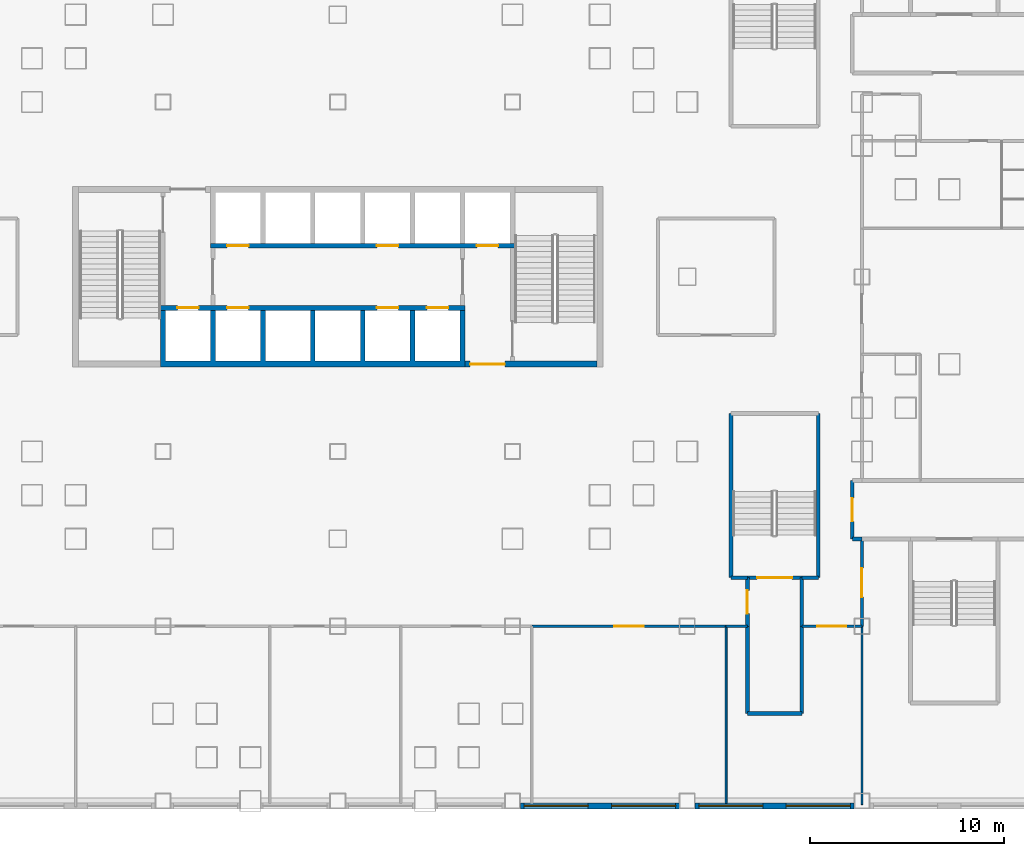
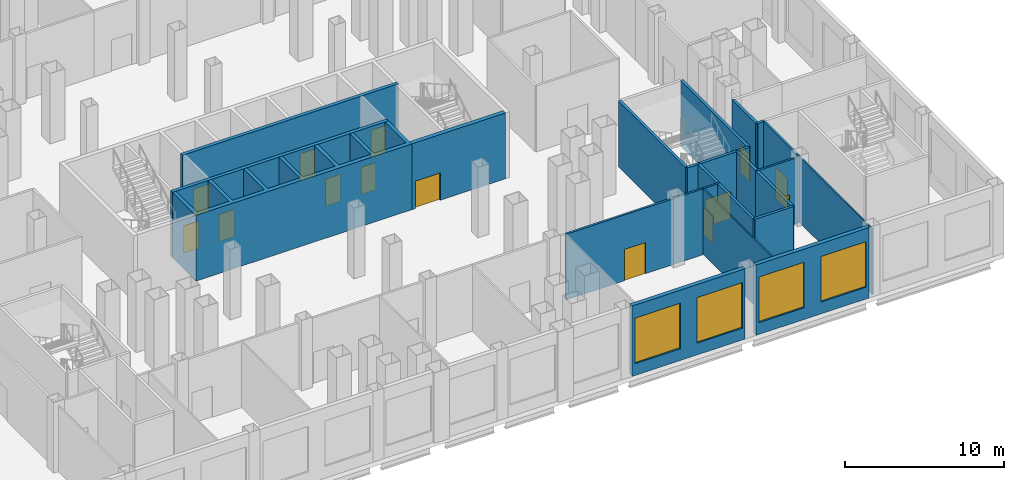
# One storey, part 4 of 27: 24 walls, 14 doors, 4 windows, 18 openings.
"""IFC4 building model written with IfcOpenShell, lengths in metres."""

from ifc_helpers import new_model, si_unit, direction, frame, frame_2d, origin, place, context, subcontext, project, spatial, polyline, rectangle, outline, extrude, material, layer, layer_set, type_object, element, fill, save


model = new_model("IFC4")

# Units and contexts
model_context = context("Model", 3, precision=1e-05, world=origin(), true_north=direction((0.0, 1.0)))
body_context = subcontext(model_context, "Body", "Model", "MODEL_VIEW")
ifc_project = project(units=[si_unit("LENGTHUNIT", "METRE"), si_unit("AREAUNIT", "SQUARE_METRE"), si_unit("VOLUMEUNIT", "CUBIC_METRE"), si_unit("PLANEANGLEUNIT", "RADIAN"), si_unit("MASSUNIT", "GRAM", prefix="KILO")], contexts=[model_context])

# Site, building, storey
site_placement = place(None, origin())
site = spatial("IfcSite", under=ifc_project, at=site_placement, CompositionType="ELEMENT")
building_placement = place(site_placement, origin())
building = spatial("IfcBuilding", under=site, at=building_placement, Name="Caravel Reach Hotel and Residences", CompositionType="ELEMENT")
storey_placement = place(building_placement, frame((0.0, 0.0, 6.60009765625)))
storey = spatial("IfcBuildingStorey", under=building, at=storey_placement, Name="L01", CompositionType="ELEMENT", Elevation=6.60009765625)

# Walls
ifc_material_1 = material(Name="Autoclaved aerated block wall")
ifc_layer_1 = layer(ifc_material_1, 0.199951171875)
ifc_layer_set_1 = layer_set([ifc_layer_1], Name="Compartment wall 200 mm EI 120")
wall_type_1 = type_object("IfcWallType", Name="Compartment wall 200 mm EI 120", PredefinedType="PARTITIONING", material=ifc_layer_set_1)
wall_1_placement = place(storey_placement, frame((58.0, 13.5, 0.0), z_axis=(0.0, 0.0, 1.0), x_axis=(1.0, 0.0, 0.0)))
element("IfcWall", 1, at=wall_1_placement, inside=storey, type_object=wall_type_1, Name="L01 wall w059", PredefinedType="PARTITIONING", context=body_context, shape_type="SweptSolid", body=[
    extrude(rectangle(XDim=0.5, YDim=0.199951171875, at=frame_2d((0.25, 0.0))), origin(), (0.0, 0.0, 1.0), 5.0498046875),
])
wall_2_placement = place(storey_placement, frame((52.60009765625, 4.5, 0.0), z_axis=(0.0, 0.0, 1.0), x_axis=(1.0, 0.0, 0.0)))
element("IfcWall", 2, at=wall_2_placement, inside=storey, type_object=wall_type_1, Name="L01 wall w068", PredefinedType="PARTITIONING", context=body_context, shape_type="SweptSolid", body=[
    extrude(rectangle(XDim=2.7998046875, YDim=0.199951171875, at=frame_2d((1.39990234375, 0.0))), origin(), (0.0, 0.0, 1.0), 5.0498046875),
])

# Wall, opening, door
wall_3_placement = place(storey_placement, frame((52.60009765625, 9.0, 0.0), z_axis=(0.0, 0.0, 1.0), x_axis=(0.0, 1.0, 0.0)))
wall_3 = element("IfcWall", 3, at=wall_3_placement, inside=storey, type_object=wall_type_1, Name="L01 wall w082", PredefinedType="PARTITIONING", context=body_context, shape_type="SweptSolid", body=[
    extrude(rectangle(XDim=2.5, YDim=0.199951171875, at=frame_2d((1.25, 0.0))), origin(), (0.0, 0.0, 1.0), 5.0498046875),
])
opening_1_placement = place(wall_3_placement, frame((0.64990234375, 0.0, 0.0)))
opening_1 = element("IfcOpeningElement", 4, at=opening_1_placement, cuts=wall_3, Name="Opening D01-020", PredefinedType="OPENING", context=body_context, shape_type="SweptSolid", body=[
    extrude(rectangle(XDim=1.199951171875, YDim=2.10009765625, at=frame_2d((0.60009765625, 1.050048828125))), frame((0.0, 0.10986328125, 0.0), z_axis=(0.0, -1.0, 0.0), x_axis=(1.0, 0.0, 0.0)), (0.0, 0.0, 1.0), 0.219970703125),
])
ifc_material_2 = material(Name="Steel fire door leaf", Category="steel")
door_type_1 = type_object("IfcDoorType", Name="Fire lobby door 1200 x 2100 EI 90", OperationType="SINGLE_SWING_LEFT", PredefinedType="DOOR", material=ifc_material_2)
door_1_placement = place(opening_1_placement, origin())
door_1 = element("IfcDoor", 5, at=door_1_placement, inside=storey, type_object=door_type_1, Name="door D01-020", OperationType="SINGLE_SWING_RIGHT", OverallHeight=2.10009765625, OverallWidth=1.199951171875, PredefinedType="DOOR", context=body_context, shape_type="SweptSolid", body=[
    extrude(rectangle(XDim=1.199951171875, YDim=2.10009765625, at=frame_2d((0.60009765625, 1.050048828125))), frame((0.0, 0.02490234375, 0.0), z_axis=(0.0, -1.0, 0.0), x_axis=(1.0, 0.0, 0.0)), (0.0, 0.0, 1.0), 0.050048828125),
])
fill(opening_1, door_1)

# Walls
wall_4_placement = place(storey_placement, frame((52.60009765625, 4.5, 0.0), z_axis=(0.0, 0.0, 1.0), x_axis=(0.0, 1.0, 0.0)))
element("IfcWall", 6, at=wall_4_placement, inside=storey, type_object=wall_type_1, Name="L01 wall w083", PredefinedType="PARTITIONING", context=body_context, shape_type="SweptSolid", body=[
    extrude(rectangle(XDim=4.5, YDim=0.199951171875, at=frame_2d((2.25, 0.0))), origin(), (0.0, 0.0, 1.0), 5.0498046875),
])
wall_5_placement = place(storey_placement, frame((55.39990234375, 9.0, 0.0), z_axis=(0.0, 0.0, 1.0), x_axis=(0.0, 1.0, 0.0)))
element("IfcWall", 7, at=wall_5_placement, inside=storey, type_object=wall_type_1, Name="L01 wall w085", PredefinedType="PARTITIONING", context=body_context, shape_type="SweptSolid", body=[
    extrude(rectangle(XDim=2.5, YDim=0.199951171875, at=frame_2d((1.25, 0.0))), origin(), (0.0, 0.0, 1.0), 5.0498046875),
])
wall_6_placement = place(storey_placement, frame((55.39990234375, 4.5, 0.0), z_axis=(0.0, 0.0, 1.0), x_axis=(0.0, 1.0, 0.0)))
element("IfcWall", 8, at=wall_6_placement, inside=storey, type_object=wall_type_1, Name="L01 wall w086", PredefinedType="PARTITIONING", context=body_context, shape_type="SweptSolid", body=[
    extrude(rectangle(XDim=4.5, YDim=0.199951171875, at=frame_2d((2.25, 0.0))), origin(), (0.0, 0.0, 1.0), 5.0498046875),
])

# Wall, opening, door
wall_7_placement = place(storey_placement, frame((58.0, 13.5, 0.0), z_axis=(0.0, 0.0, 1.0), x_axis=(0.0, 1.0, 0.0)))
wall_7 = element("IfcWall", 9, at=wall_7_placement, inside=storey, type_object=wall_type_1, Name="L01 wall w088", PredefinedType="PARTITIONING", context=body_context, shape_type="SweptSolid", body=[
    extrude(rectangle(XDim=3.0, YDim=0.199951171875, at=frame_2d((1.5, 0.0))), origin(), (0.0, 0.0, 1.0), 5.0498046875),
])
opening_2_placement = place(wall_7_placement, frame((0.89990234375, 0.0, 0.0)))
opening_2 = element("IfcOpeningElement", 10, at=opening_2_placement, cuts=wall_7, Name="Opening D01-026", PredefinedType="OPENING", context=body_context, shape_type="SweptSolid", body=[
    extrude(rectangle(XDim=1.199951171875, YDim=2.10009765625, at=frame_2d((0.60009765625, 1.050048828125))), frame((0.0, 0.10986328125, 0.0), z_axis=(0.0, -1.0, 0.0), x_axis=(1.0, 0.0, 0.0)), (0.0, 0.0, 1.0), 0.219970703125),
])
door_2_placement = place(opening_2_placement, origin())
door_2 = element("IfcDoor", 11, at=door_2_placement, inside=storey, type_object=door_type_1, Name="door D01-026", OperationType="SINGLE_SWING_RIGHT", OverallHeight=2.10009765625, OverallWidth=1.199951171875, PredefinedType="DOOR", context=body_context, shape_type="SweptSolid", body=[
    extrude(rectangle(XDim=1.199951171875, YDim=2.10009765625, at=frame_2d((0.60009765625, 1.050048828125))), frame((0.0, 0.02490234375, 0.0), z_axis=(0.0, -1.0, 0.0), x_axis=(1.0, 0.0, 0.0)), (0.0, 0.0, 1.0), 0.050048828125),
])
fill(opening_2, door_2)

ifc_material_3 = material(Name="Concrete C60", Category="concrete")
ifc_layer_2 = layer(ifc_material_3, 0.300048828125)
ifc_layer_set_2 = layer_set([ifc_layer_2], Name="Core wall 300 mm EI 120")
wall_type_2 = type_object("IfcWallType", Name="Core wall 300 mm EI 120", PredefinedType="SHEAR", material=ifc_layer_set_2)
wall_8_placement = place(storey_placement, frame((38.053466796875, 22.5, 0.0), z_axis=(0.0, 0.0, 1.0), x_axis=(1.0, 0.0, 0.0)))
wall_8 = element("IfcWall", 12, at=wall_8_placement, inside=storey, type_object=wall_type_2, Name="L01 core wall S2", PredefinedType="SHEAR", context=body_context, shape_type="SweptSolid", body=[
    extrude(rectangle(XDim=6.796630859375, YDim=0.300048828125, at=frame_2d((3.3984375, 0.0))), origin(), (0.0, 0.0, 1.0), 5.0498046875),
])
opening_3_placement = place(wall_8_placement, frame((0.2607421875, 0.0, 0.0)))
opening_3 = element("IfcOpeningElement", 13, at=opening_3_placement, cuts=wall_8, Name="Opening D01-013", PredefinedType="OPENING", context=body_context, shape_type="SweptSolid", body=[
    extrude(rectangle(XDim=1.800048828125, YDim=2.10009765625, at=frame_2d((0.89990234375, 1.050048828125))), frame((0.0, 0.159912109375, 0.0), z_axis=(0.0, -1.0, 0.0), x_axis=(1.0, 0.0, 0.0)), (0.0, 0.0, 1.0), 0.320068359375),
])
ifc_material_4 = material(Name="Steel fire door leaf", Category="steel")
door_type_2 = type_object("IfcDoorType", Name="Fire lobby door pair 1800 x 2100 EI 90", OperationType="DOUBLE_DOOR_SINGLE_SWING", PredefinedType="DOOR", material=ifc_material_4)
door_3_placement = place(opening_3_placement, origin())
door_3 = element("IfcDoor", 14, at=door_3_placement, inside=storey, type_object=door_type_2, Name="lobby S door pair to corridor", OperationType="DOUBLE_DOOR_SINGLE_SWING", OverallHeight=2.10009765625, OverallWidth=1.800048828125, PredefinedType="DOOR", context=body_context, shape_type="SweptSolid", body=[
    extrude(rectangle(XDim=1.800048828125, YDim=2.10009765625, at=frame_2d((0.89990234375, 1.050048828125))), frame((0.0, 0.02490234375, 0.0), z_axis=(0.0, -1.0, 0.0), x_axis=(1.0, 0.0, 0.0)), (0.0, 0.0, 1.0), 0.050048828125),
])
fill(opening_3, door_3)

ifc_material_5 = material(Name="Gypsum board on steel stud, fire-rated", Category="steel")
ifc_layer_3 = layer(ifc_material_5, 0.14990234375)
ifc_layer_set_3 = layer_set([ifc_layer_3], Name="Corridor wall 150 mm EI 60")
wall_type_3 = type_object("IfcWallType", Name="Corridor wall 150 mm EI 60", PredefinedType="PARTITIONING", material=ifc_layer_set_3)
wall_9_placement = place(storey_placement, frame((41.5, 9.0, 0.0), z_axis=(0.0, 0.0, 1.0), x_axis=(1.0, 0.0, 0.0)))
wall_9 = element("IfcWall", 15, at=wall_9_placement, inside=storey, type_object=wall_type_3, Name="L01 wall w020", PredefinedType="PARTITIONING", context=body_context, shape_type="SweptSolid", body=[
    extrude(rectangle(XDim=10.0, YDim=0.14990234375, at=frame_2d((5.0, 0.0))), origin(), (0.0, 0.0, 1.0), 5.0498046875),
])
opening_4_placement = place(wall_9_placement, frame((4.25, 0.0, 0.0)))
opening_4 = element("IfcOpeningElement", 16, at=opening_4_placement, cuts=wall_9, Name="Opening D01-044", PredefinedType="OPENING", context=body_context, shape_type="SweptSolid", body=[
    extrude(rectangle(XDim=1.5, YDim=2.39990234375, at=frame_2d((0.75, 1.199951171875))), frame((0.0, 0.0849609375, 0.0), z_axis=(0.0, -1.0, 0.0), x_axis=(1.0, 0.0, 0.0)), (0.0, 0.0, 1.0), 0.169921875),
])
ifc_material_6 = material(Name="Timber and steel door leaf", Category="steel")
door_type_3 = type_object("IfcDoorType", Name="Shopfront door 1500 x 2400", OperationType="DOUBLE_DOOR_SINGLE_SWING", PredefinedType="DOOR", material=ifc_material_6)
door_4_placement = place(opening_4_placement, origin())
door_4 = element("IfcDoor", 17, at=door_4_placement, inside=storey, type_object=door_type_3, Name="door D01-044", OperationType="DOUBLE_DOOR_SINGLE_SWING", OverallHeight=2.39990234375, OverallWidth=1.5, PredefinedType="DOOR", context=body_context, shape_type="SweptSolid", body=[
    extrude(rectangle(XDim=1.5, YDim=2.39990234375, at=frame_2d((0.75, 1.199951171875))), frame((0.0, 0.02490234375, 0.0), z_axis=(0.0, -1.0, 0.0), x_axis=(1.0, 0.0, 0.0)), (0.0, 0.0, 1.0), 0.050048828125),
])
fill(opening_4, door_4)

# Wall
wall_10_placement = place(storey_placement, frame((51.5, 9.0, 0.0), z_axis=(0.0, 0.0, 1.0), x_axis=(1.0, 0.0, 0.0)))
element("IfcWall", 18, at=wall_10_placement, inside=storey, type_object=wall_type_3, Name="L01 wall w021", PredefinedType="PARTITIONING", context=body_context, shape_type="SweptSolid", body=[
    extrude(rectangle(XDim=1.10009765625, YDim=0.14990234375, at=frame_2d((0.550048828125, 0.0))), origin(), (0.0, 0.0, 1.0), 5.0498046875),
])

# Wall, opening, door
wall_11_placement = place(storey_placement, frame((55.39990234375, 9.0, 0.0), z_axis=(0.0, 0.0, 1.0), x_axis=(1.0, 0.0, 0.0)))
wall_11 = element("IfcWall", 19, at=wall_11_placement, inside=storey, type_object=wall_type_3, Name="L01 wall w022", PredefinedType="PARTITIONING", context=body_context, shape_type="SweptSolid", body=[
    extrude(rectangle(XDim=3.10009765625, YDim=0.14990234375, at=frame_2d((1.550048828125, 0.0))), origin(), (0.0, 0.0, 1.0), 5.0498046875),
])
opening_5_placement = place(wall_11_placement, frame((0.800048828125, 0.0, 0.0)))
opening_5 = element("IfcOpeningElement", 20, at=opening_5_placement, cuts=wall_11, Name="Opening D01-045", PredefinedType="OPENING", context=body_context, shape_type="SweptSolid", body=[
    extrude(rectangle(XDim=1.5, YDim=2.39990234375, at=frame_2d((0.75, 1.199951171875))), frame((0.0, 0.0849609375, 0.0), z_axis=(0.0, -1.0, 0.0), x_axis=(1.0, 0.0, 0.0)), (0.0, 0.0, 1.0), 0.169921875),
])
door_5_placement = place(opening_5_placement, origin())
door_5 = element("IfcDoor", 21, at=door_5_placement, inside=storey, type_object=door_type_3, Name="door D01-045", OperationType="DOUBLE_DOOR_SINGLE_SWING", OverallHeight=2.39990234375, OverallWidth=1.5, PredefinedType="DOOR", context=body_context, shape_type="SweptSolid", body=[
    extrude(rectangle(XDim=1.5, YDim=2.39990234375, at=frame_2d((0.75, 1.199951171875))), frame((0.0, 0.02490234375, 0.0), z_axis=(0.0, -1.0, 0.0), x_axis=(1.0, 0.0, 0.0)), (0.0, 0.0, 1.0), 0.050048828125),
])
fill(opening_5, door_5)

wall_12_placement = place(storey_placement, frame((58.5, 9.0, 0.0), z_axis=(0.0, 0.0, 1.0), x_axis=(0.0, 1.0, 0.0)))
wall_12 = element("IfcWall", 22, at=wall_12_placement, inside=storey, type_object=wall_type_3, Name="L01 wall w033", PredefinedType="PARTITIONING", context=body_context, shape_type="SweptSolid", body=[
    extrude(rectangle(XDim=4.5, YDim=0.14990234375, at=frame_2d((2.25, 0.0))), origin(), (0.0, 0.0, 1.0), 5.0498046875),
])
opening_6_placement = place(wall_12_placement, frame((1.5, 0.0, 0.0)))
opening_6 = element("IfcOpeningElement", 23, at=opening_6_placement, cuts=wall_12, Name="Opening D01-034", PredefinedType="OPENING", context=body_context, shape_type="SweptSolid", body=[
    extrude(rectangle(XDim=1.5, YDim=2.39990234375, at=frame_2d((0.75, 1.199951171875))), frame((0.0, 0.0849609375, 0.0), z_axis=(0.0, -1.0, 0.0), x_axis=(1.0, 0.0, 0.0)), (0.0, 0.0, 1.0), 0.169921875),
])
door_6_placement = place(opening_6_placement, origin())
door_6 = element("IfcDoor", 24, at=door_6_placement, inside=storey, type_object=door_type_3, Name="door D01-034", OperationType="DOUBLE_DOOR_SINGLE_SWING", OverallHeight=2.39990234375, OverallWidth=1.5, PredefinedType="DOOR", context=body_context, shape_type="SweptSolid", body=[
    extrude(rectangle(XDim=1.5, YDim=2.39990234375, at=frame_2d((0.75, 1.199951171875))), frame((0.0, 0.02490234375, 0.0), z_axis=(0.0, -1.0, 0.0), x_axis=(1.0, 0.0, 0.0)), (0.0, 0.0, 1.0), 0.050048828125),
])
fill(opening_6, door_6)

# Wall, openings, windows
ifc_material_7 = material(Name="Insulated wall, stone cladding", Category="masonry")
ifc_layer_4 = layer(ifc_material_7, 0.300048828125)
ifc_layer_set_4 = layer_set([ifc_layer_4], Name="EW2 Podium stone-clad wall")
wall_type_4 = type_object("IfcWallType", Name="EW2 Podium stone-clad wall", PredefinedType="SOLIDWALL", material=ifc_layer_set_4)
wall_13_placement = place(storey_placement, frame((40.89990234375, -0.25, 0.0), z_axis=(0.0, 0.0, 1.0), x_axis=(1.0, 0.0, 0.0)))
wall_13 = element("IfcWall", 25, at=wall_13_placement, inside=storey, type_object=wall_type_4, Name="External wall L01 S4.8", PredefinedType="SOLIDWALL", context=body_context, shape_type="SweptSolid", body=[
    extrude(rectangle(XDim=8.2001953125, YDim=0.300048828125, at=frame_2d((4.10009765625, 0.0))), origin(), (0.0, 0.0, 1.0), 5.39990234375),
])
opening_7_placement = place(wall_13_placement, frame((0.199951171875, 0.0, 0.89990234375)))
opening_7 = element("IfcOpeningElement", 26, at=opening_7_placement, cuts=wall_13, Name="Opening WN30", PredefinedType="OPENING", context=body_context, shape_type="SweptSolid", body=[
    extrude(rectangle(XDim=3.300048828125, YDim=3.5, at=frame_2d((1.64990234375, 1.75))), frame((0.0, 0.159912109375, 0.0), z_axis=(0.0, -1.0, 0.0), x_axis=(1.0, 0.0, 0.0)), (0.0, 0.0, 1.0), 0.320068359375),
])
opening_8_placement = place(wall_13_placement, frame((4.699951171875, 0.0, 0.89990234375)))
opening_8 = element("IfcOpeningElement", 27, at=opening_8_placement, cuts=wall_13, Name="Opening WN30", PredefinedType="OPENING", context=body_context, shape_type="SweptSolid", body=[
    extrude(rectangle(XDim=3.300048828125, YDim=3.5, at=frame_2d((1.64990234375, 1.75))), frame((0.0, 0.159912109375, 0.0), z_axis=(0.0, -1.0, 0.0), x_axis=(1.0, 0.0, 0.0)), (0.0, 0.0, 1.0), 0.320068359375),
])
ifc_material_8 = material(Name="Dark low-e glazing in black aluminium frame", Category="aluminium")
window_type = type_object("IfcWindowType", Name="Podium window 3300 x 3500", PartitioningType="SINGLE_PANEL", PredefinedType="WINDOW", material=ifc_material_8)
window_1_placement = place(opening_7_placement, origin())
window_1 = element("IfcWindow", 28, at=window_1_placement, inside=storey, type_object=window_type, Name="Window L01 S4.8.1", OverallHeight=3.5, OverallWidth=3.300048828125, PartitioningType="SINGLE_PANEL", PredefinedType="WINDOW", context=body_context, shape_type="SweptSolid", body=[
    extrude(rectangle(XDim=3.300048828125, YDim=3.5, at=frame_2d((1.64990234375, 1.75))), frame((0.0, 0.030029296875, 0.0), z_axis=(0.0, -1.0, 0.0), x_axis=(1.0, 0.0, 0.0)), (0.0, 0.0, 1.0), 0.06005859375),
])
fill(opening_7, window_1)
window_2_placement = place(opening_8_placement, origin())
window_2 = element("IfcWindow", 29, at=window_2_placement, inside=storey, type_object=window_type, Name="Window L01 S4.8.2", OverallHeight=3.5, OverallWidth=3.300048828125, PartitioningType="SINGLE_PANEL", PredefinedType="WINDOW", context=body_context, shape_type="SweptSolid", body=[
    extrude(rectangle(XDim=3.300048828125, YDim=3.5, at=frame_2d((1.64990234375, 1.75))), frame((0.0, 0.030029296875, 0.0), z_axis=(0.0, -1.0, 0.0), x_axis=(1.0, 0.0, 0.0)), (0.0, 0.0, 1.0), 0.06005859375),
])
fill(opening_8, window_2)

wall_14_placement = place(storey_placement, frame((49.89990234375, -0.25, 0.0), z_axis=(0.0, 0.0, 1.0), x_axis=(1.0, 0.0, 0.0)))
wall_14 = element("IfcWall", 30, at=wall_14_placement, inside=storey, type_object=wall_type_4, Name="External wall L01 S4.9", PredefinedType="SOLIDWALL", context=body_context, shape_type="SweptSolid", body=[
    extrude(rectangle(XDim=8.2001953125, YDim=0.300048828125, at=frame_2d((4.10009765625, 0.0))), origin(), (0.0, 0.0, 1.0), 5.39990234375),
])
opening_9_placement = place(wall_14_placement, frame((0.199951171875, 0.0, 0.89990234375)))
opening_9 = element("IfcOpeningElement", 31, at=opening_9_placement, cuts=wall_14, Name="Opening WN30", PredefinedType="OPENING", context=body_context, shape_type="SweptSolid", body=[
    extrude(rectangle(XDim=3.300048828125, YDim=3.5, at=frame_2d((1.64990234375, 1.75))), frame((0.0, 0.159912109375, 0.0), z_axis=(0.0, -1.0, 0.0), x_axis=(1.0, 0.0, 0.0)), (0.0, 0.0, 1.0), 0.320068359375),
])
opening_10_placement = place(wall_14_placement, frame((4.699951171875, 0.0, 0.89990234375)))
opening_10 = element("IfcOpeningElement", 32, at=opening_10_placement, cuts=wall_14, Name="Opening WN30", PredefinedType="OPENING", context=body_context, shape_type="SweptSolid", body=[
    extrude(rectangle(XDim=3.300048828125, YDim=3.5, at=frame_2d((1.64990234375, 1.75))), frame((0.0, 0.159912109375, 0.0), z_axis=(0.0, -1.0, 0.0), x_axis=(1.0, 0.0, 0.0)), (0.0, 0.0, 1.0), 0.320068359375),
])
window_3_placement = place(opening_9_placement, origin())
window_3 = element("IfcWindow", 33, at=window_3_placement, inside=storey, type_object=window_type, Name="Window L01 S4.9.1", OverallHeight=3.5, OverallWidth=3.300048828125, PartitioningType="SINGLE_PANEL", PredefinedType="WINDOW", context=body_context, shape_type="SweptSolid", body=[
    extrude(rectangle(XDim=3.300048828125, YDim=3.5, at=frame_2d((1.64990234375, 1.75))), frame((0.0, 0.030029296875, 0.0), z_axis=(0.0, -1.0, 0.0), x_axis=(1.0, 0.0, 0.0)), (0.0, 0.0, 1.0), 0.06005859375),
])
fill(opening_9, window_3)
window_4_placement = place(opening_10_placement, origin())
window_4 = element("IfcWindow", 34, at=window_4_placement, inside=storey, type_object=window_type, Name="Window L01 S4.9.2", OverallHeight=3.5, OverallWidth=3.300048828125, PartitioningType="SINGLE_PANEL", PredefinedType="WINDOW", context=body_context, shape_type="SweptSolid", body=[
    extrude(rectangle(XDim=3.300048828125, YDim=3.5, at=frame_2d((1.64990234375, 1.75))), frame((0.0, 0.030029296875, 0.0), z_axis=(0.0, -1.0, 0.0), x_axis=(1.0, 0.0, 0.0)), (0.0, 0.0, 1.0), 0.06005859375),
])
fill(opening_10, window_4)

# Walls
ifc_material_9 = material(Name="Gypsum board on steel stud", Category="steel")
ifc_layer_5 = layer(ifc_material_9, 0.10009765625)
ifc_layer_set_5 = layer_set([ifc_layer_5], Name="Partition 100 mm")
wall_type_5 = type_object("IfcWallType", Name="Partition 100 mm", PredefinedType="PARTITIONING", material=ifc_layer_set_5)
wall_15_placement = place(storey_placement, frame((51.5, -0.1201171875, 0.0), z_axis=(0.0, 0.0, 1.0), x_axis=(0.0, 1.0, 0.0)))
element("IfcWall", 35, at=wall_15_placement, inside=storey, type_object=wall_type_5, Name="L01 wall w056", PredefinedType="PARTITIONING", context=body_context, shape_type="SweptSolid", body=[
    extrude(rectangle(XDim=9.1201171875, YDim=0.10009765625, at=frame_2d((4.56005859375, 0.0))), origin(), (0.0, 0.0, 1.0), 5.0498046875),
])
wall_16_placement = place(storey_placement, frame((58.5, -0.18994140625, 0.0), z_axis=(0.0, 0.0, 1.0), x_axis=(0.0, 1.0, 0.0)))
element("IfcWall", 36, at=wall_16_placement, inside=storey, type_object=wall_type_5, Name="L01 wall w057", PredefinedType="PARTITIONING", context=body_context, shape_type="SweptSolid", body=[
    extrude(rectangle(XDim=9.18994140625, YDim=0.10009765625, at=frame_2d((4.594970703125, 0.0))), origin(), (0.0, 0.0, 1.0), 5.0498046875),
])
ifc_material_10 = material(Name="Concrete C60", Category="concrete")
ifc_layer_6 = layer(ifc_material_10, 0.25)
ifc_layer_set_6 = layer_set([ifc_layer_6], Name="Shaft wall 250 mm EI 120")
wall_type_6 = type_object("IfcWallType", Name="Shaft wall 250 mm EI 120", PredefinedType="SHEAR", material=ifc_layer_set_6)
wall_17_placement = place(storey_placement, origin())
element("IfcWall", 37, at=wall_17_placement, inside=storey, type_object=wall_type_6, Name="L01 lift shaft wall S1", PredefinedType="SHEAR", context=body_context, shape_type="SweptSolid", body=[
    extrude(outline(polyline([(22.375, 22.35009765625), (38.053466796875, 22.35009765625), (38.053466796875, 25.27490234375), (37.803466796875, 25.27490234375), (37.803466796875, 22.64990234375), (35.482177734375, 22.64990234375), (35.482177734375, 25.27490234375), (35.232177734375, 25.27490234375), (35.232177734375, 22.64990234375), (32.91064453125, 22.64990234375), (32.91064453125, 25.27490234375), (32.66064453125, 25.27490234375), (32.66064453125, 22.64990234375), (30.33935546875, 22.64990234375), (30.33935546875, 25.27490234375), (30.08935546875, 25.27490234375), (30.08935546875, 22.64990234375), (27.767822265625, 22.64990234375), (27.767822265625, 25.27490234375), (27.517822265625, 25.27490234375), (27.517822265625, 22.64990234375), (25.196533203125, 22.64990234375), (25.196533203125, 25.27490234375), (24.946533203125, 25.27490234375), (24.946533203125, 22.64990234375), (22.625, 22.64990234375), (22.625, 25.27490234375), (22.375, 25.27490234375), (22.375, 22.35009765625)])), origin(), (0.0, 0.0, 1.0), 5.0498046875),
])

# Wall, openings, doors
wall_18_placement = place(storey_placement, frame((22.375, 25.39990234375, 0.0), z_axis=(0.0, 0.0, 1.0), x_axis=(1.0, 0.0, 0.0)))
wall_18 = element("IfcWall", 38, at=wall_18_placement, inside=storey, type_object=wall_type_6, Name="L01 lobby wall S1", PredefinedType="SHEAR", context=body_context, shape_type="SweptSolid", body=[
    extrude(rectangle(XDim=15.678466796875, YDim=0.25, at=frame_2d((7.83935546875, 0.0))), origin(), (0.0, 0.0, 1.0), 5.0498046875),
])
opening_11_placement = place(wall_18_placement, frame((3.43212890625, 0.0, 0.0)))
opening_11 = element("IfcOpeningElement", 39, at=opening_11_placement, cuts=wall_18, Name="Opening D01-001", PredefinedType="OPENING", context=body_context, shape_type="SweptSolid", body=[
    extrude(rectangle(XDim=1.10009765625, YDim=2.10009765625, at=frame_2d((0.550048828125, 1.050048828125))), frame((0.0, 0.135009765625, 0.0), z_axis=(0.0, -1.0, 0.0), x_axis=(1.0, 0.0, 0.0)), (0.0, 0.0, 1.0), 0.27001953125),
])
opening_12_placement = place(wall_18_placement, frame((11.146484375, 0.0, 0.0)))
opening_12 = element("IfcOpeningElement", 40, at=opening_12_placement, cuts=wall_18, Name="Opening D01-002", PredefinedType="OPENING", context=body_context, shape_type="SweptSolid", body=[
    extrude(rectangle(XDim=1.10009765625, YDim=2.10009765625, at=frame_2d((0.550048828125, 1.050048828125))), frame((0.0, 0.135009765625, 0.0), z_axis=(0.0, -1.0, 0.0), x_axis=(1.0, 0.0, 0.0)), (0.0, 0.0, 1.0), 0.27001953125),
])
opening_13_placement = place(wall_18_placement, frame((13.718017578125, 0.0, 0.0)))
opening_13 = element("IfcOpeningElement", 41, at=opening_13_placement, cuts=wall_18, Name="Opening D01-003", PredefinedType="OPENING", context=body_context, shape_type="SweptSolid", body=[
    extrude(rectangle(XDim=1.10009765625, YDim=2.10009765625, at=frame_2d((0.550048828125, 1.050048828125))), frame((0.0, 0.135009765625, 0.0), z_axis=(0.0, -1.0, 0.0), x_axis=(1.0, 0.0, 0.0)), (0.0, 0.0, 1.0), 0.27001953125),
])
opening_14_placement = place(wall_18_placement, frame((0.860595703125, 0.0, 0.0)))
opening_14 = element("IfcOpeningElement", 42, at=opening_14_placement, cuts=wall_18, Name="Opening D01-006", PredefinedType="OPENING", context=body_context, shape_type="SweptSolid", body=[
    extrude(rectangle(XDim=1.10009765625, YDim=2.10009765625, at=frame_2d((0.550048828125, 1.050048828125))), frame((0.0, 0.135009765625, 0.0), z_axis=(0.0, -1.0, 0.0), x_axis=(1.0, 0.0, 0.0)), (0.0, 0.0, 1.0), 0.27001953125),
])
ifc_material_11 = material(Name="Stainless steel landing door", Category="steel")
door_type_4 = type_object("IfcDoorType", Name="Landing door LD 1100 x 2100 sliding", OperationType="DOUBLE_DOOR_SLIDING", PredefinedType="DOOR", material=ifc_material_11)
door_7_placement = place(opening_11_placement, origin())
door_7 = element("IfcDoor", 43, at=door_7_placement, inside=storey, type_object=door_type_4, Name="LP1 landing door", OperationType="DOUBLE_DOOR_SLIDING", OverallHeight=2.10009765625, OverallWidth=1.10009765625, PredefinedType="DOOR", context=body_context, shape_type="SweptSolid", body=[
    extrude(rectangle(XDim=1.10009765625, YDim=2.10009765625, at=frame_2d((0.550048828125, 1.050048828125))), frame((0.0, 0.02490234375, 0.0), z_axis=(0.0, -1.0, 0.0), x_axis=(1.0, 0.0, 0.0)), (0.0, 0.0, 1.0), 0.050048828125),
])
fill(opening_11, door_7)
door_8_placement = place(opening_12_placement, origin())
door_8 = element("IfcDoor", 44, at=door_8_placement, inside=storey, type_object=door_type_4, Name="LP2 landing door", OperationType="DOUBLE_DOOR_SLIDING", OverallHeight=2.10009765625, OverallWidth=1.10009765625, PredefinedType="DOOR", context=body_context, shape_type="SweptSolid", body=[
    extrude(rectangle(XDim=1.10009765625, YDim=2.10009765625, at=frame_2d((0.550048828125, 1.050048828125))), frame((0.0, 0.02490234375, 0.0), z_axis=(0.0, -1.0, 0.0), x_axis=(1.0, 0.0, 0.0)), (0.0, 0.0, 1.0), 0.050048828125),
])
fill(opening_12, door_8)
door_9_placement = place(opening_13_placement, origin())
door_9 = element("IfcDoor", 45, at=door_9_placement, inside=storey, type_object=door_type_4, Name="LP3 landing door", OperationType="DOUBLE_DOOR_SLIDING", OverallHeight=2.10009765625, OverallWidth=1.10009765625, PredefinedType="DOOR", context=body_context, shape_type="SweptSolid", body=[
    extrude(rectangle(XDim=1.10009765625, YDim=2.10009765625, at=frame_2d((0.550048828125, 1.050048828125))), frame((0.0, 0.02490234375, 0.0), z_axis=(0.0, -1.0, 0.0), x_axis=(1.0, 0.0, 0.0)), (0.0, 0.0, 1.0), 0.050048828125),
])
fill(opening_13, door_9)
door_10_placement = place(opening_14_placement, origin())
door_10 = element("IfcDoor", 46, at=door_10_placement, inside=storey, type_object=door_type_4, Name="FL1 landing door", OperationType="DOUBLE_DOOR_SLIDING", OverallHeight=2.10009765625, OverallWidth=1.10009765625, PredefinedType="DOOR", context=body_context, shape_type="SweptSolid", body=[
    extrude(rectangle(XDim=1.10009765625, YDim=2.10009765625, at=frame_2d((0.550048828125, 1.050048828125))), frame((0.0, 0.02490234375, 0.0), z_axis=(0.0, -1.0, 0.0), x_axis=(1.0, 0.0, 0.0)), (0.0, 0.0, 1.0), 0.050048828125),
])
fill(opening_14, door_10)

wall_19_placement = place(storey_placement, frame((24.946533203125, 28.60009765625, 0.0), z_axis=(0.0, 0.0, 1.0), x_axis=(1.0, 0.0, 0.0)))
wall_19 = element("IfcWall", 47, at=wall_19_placement, inside=storey, type_object=wall_type_6, Name="L01 lobby wall N1", PredefinedType="SHEAR", context=body_context, shape_type="SweptSolid", body=[
    extrude(rectangle(XDim=15.678466796875, YDim=0.25, at=frame_2d((7.83935546875, 0.0))), origin(), (0.0, 0.0, 1.0), 5.0498046875),
])
opening_15_placement = place(wall_19_placement, frame((0.860595703125, 0.0, 0.0)))
opening_15 = element("IfcOpeningElement", 48, at=opening_15_placement, cuts=wall_19, Name="Opening D01-004", PredefinedType="OPENING", context=body_context, shape_type="SweptSolid", body=[
    extrude(rectangle(XDim=1.10009765625, YDim=2.10009765625, at=frame_2d((0.550048828125, 1.050048828125))), frame((0.0, 0.135009765625, 0.0), z_axis=(0.0, -1.0, 0.0), x_axis=(1.0, 0.0, 0.0)), (0.0, 0.0, 1.0), 0.27001953125),
])
opening_16_placement = place(wall_19_placement, frame((8.574951171875, 0.0, 0.0)))
opening_16 = element("IfcOpeningElement", 49, at=opening_16_placement, cuts=wall_19, Name="Opening D01-005", PredefinedType="OPENING", context=body_context, shape_type="SweptSolid", body=[
    extrude(rectangle(XDim=1.10009765625, YDim=2.10009765625, at=frame_2d((0.550048828125, 1.050048828125))), frame((0.0, 0.135009765625, 0.0), z_axis=(0.0, -1.0, 0.0), x_axis=(1.0, 0.0, 0.0)), (0.0, 0.0, 1.0), 0.27001953125),
])
opening_17_placement = place(wall_19_placement, frame((13.718017578125, 0.0, 0.0)))
opening_17 = element("IfcOpeningElement", 50, at=opening_17_placement, cuts=wall_19, Name="Opening D01-007", PredefinedType="OPENING", context=body_context, shape_type="SweptSolid", body=[
    extrude(rectangle(XDim=1.10009765625, YDim=2.10009765625, at=frame_2d((0.550048828125, 1.050048828125))), frame((0.0, 0.135009765625, 0.0), z_axis=(0.0, -1.0, 0.0), x_axis=(1.0, 0.0, 0.0)), (0.0, 0.0, 1.0), 0.27001953125),
])
door_11_placement = place(opening_15_placement, origin())
door_11 = element("IfcDoor", 51, at=door_11_placement, inside=storey, type_object=door_type_4, Name="LP4 landing door", OperationType="DOUBLE_DOOR_SLIDING", OverallHeight=2.10009765625, OverallWidth=1.10009765625, PredefinedType="DOOR", context=body_context, shape_type="SweptSolid", body=[
    extrude(rectangle(XDim=1.10009765625, YDim=2.10009765625, at=frame_2d((0.550048828125, 1.050048828125))), frame((0.0, 0.02490234375, 0.0), z_axis=(0.0, -1.0, 0.0), x_axis=(1.0, 0.0, 0.0)), (0.0, 0.0, 1.0), 0.050048828125),
])
fill(opening_15, door_11)
door_12_placement = place(opening_16_placement, origin())
door_12 = element("IfcDoor", 52, at=door_12_placement, inside=storey, type_object=door_type_4, Name="LP5 landing door", OperationType="DOUBLE_DOOR_SLIDING", OverallHeight=2.10009765625, OverallWidth=1.10009765625, PredefinedType="DOOR", context=body_context, shape_type="SweptSolid", body=[
    extrude(rectangle(XDim=1.10009765625, YDim=2.10009765625, at=frame_2d((0.550048828125, 1.050048828125))), frame((0.0, 0.02490234375, 0.0), z_axis=(0.0, -1.0, 0.0), x_axis=(1.0, 0.0, 0.0)), (0.0, 0.0, 1.0), 0.050048828125),
])
fill(opening_16, door_12)
door_13_placement = place(opening_17_placement, origin())
door_13 = element("IfcDoor", 53, at=door_13_placement, inside=storey, type_object=door_type_4, Name="FL2 landing door", OperationType="DOUBLE_DOOR_SLIDING", OverallHeight=2.10009765625, OverallWidth=1.10009765625, PredefinedType="DOOR", context=body_context, shape_type="SweptSolid", body=[
    extrude(rectangle(XDim=1.10009765625, YDim=2.10009765625, at=frame_2d((0.550048828125, 1.050048828125))), frame((0.0, 0.02490234375, 0.0), z_axis=(0.0, -1.0, 0.0), x_axis=(1.0, 0.0, 0.0)), (0.0, 0.0, 1.0), 0.050048828125),
])
fill(opening_17, door_13)

# Walls
ifc_material_12 = material(Name="Concrete C60", Category="concrete")
ifc_layer_7 = layer(ifc_material_12, 0.199951171875)
ifc_layer_set_7 = layer_set([ifc_layer_7], Name="Stair enclosure wall 200 mm EI 120")
wall_type_7 = type_object("IfcWallType", Name="Stair enclosure wall 200 mm EI 120", PredefinedType="SHEAR", material=ifc_layer_set_7)
for number, where, z_axis, x_axis, name in (
    (54, (51.75, 11.5, 0.0), (0.0, 0.0, 1.0), (1.0, 0.0, 0.0), "L01 wall w095"),
    (55, (55.39990234375, 11.5, 0.0), (0.0, 0.0, 1.0), (1.0, 0.0, 0.0), "L01 wall w096"),
):
    element("IfcWall", number, at=place(storey_placement, frame(where, z_axis=z_axis, x_axis=x_axis)), inside=storey, type_object=wall_type_7, Name=name, PredefinedType="SHEAR", context=body_context, shape_type="SweptSolid", body=[
        extrude(rectangle(XDim=0.85009765625, YDim=0.199951171875, at=frame_2d((0.425048828125, 0.0))), origin(), (0.0, 0.0, 1.0), 5.0498046875),
    ])

# Wall, opening, door
wall_20_placement = place(storey_placement, frame((52.60009765625, 11.5, 0.0), z_axis=(0.0, 0.0, 1.0), x_axis=(1.0, 0.0, 0.0)))
wall_20 = element("IfcWall", 56, at=wall_20_placement, inside=storey, type_object=wall_type_7, Name="L01 wall w097", PredefinedType="SHEAR", context=body_context, shape_type="SweptSolid", body=[
    extrude(rectangle(XDim=2.7998046875, YDim=0.199951171875, at=frame_2d((1.39990234375, 0.0))), origin(), (0.0, 0.0, 1.0), 5.0498046875),
])
opening_18_placement = place(wall_20_placement, frame((0.5, 0.0, 0.0)))
opening_18 = element("IfcOpeningElement", 57, at=opening_18_placement, cuts=wall_20, Name="Opening D01-021", PredefinedType="OPENING", context=body_context, shape_type="SweptSolid", body=[
    extrude(rectangle(XDim=1.800048828125, YDim=2.10009765625, at=frame_2d((0.89990234375, 1.050048828125))), frame((0.0, 0.10986328125, 0.0), z_axis=(0.0, -1.0, 0.0), x_axis=(1.0, 0.0, 0.0)), (0.0, 0.0, 1.0), 0.219970703125),
])
ifc_material_13 = material(Name="Steel fire door leaf", Category="steel")
door_type_5 = type_object("IfcDoorType", Name="Stair door pair 1800 x 2100 EI 90", OperationType="DOUBLE_DOOR_SINGLE_SWING", PredefinedType="DOOR", material=ifc_material_13)
door_14_placement = place(opening_18_placement, origin())
door_14 = element("IfcDoor", 58, at=door_14_placement, inside=storey, type_object=door_type_5, Name="door D01-021", OperationType="DOUBLE_DOOR_SINGLE_SWING", OverallHeight=2.10009765625, OverallWidth=1.800048828125, PredefinedType="DOOR", context=body_context, shape_type="SweptSolid", body=[
    extrude(rectangle(XDim=1.800048828125, YDim=2.10009765625, at=frame_2d((0.89990234375, 1.050048828125))), frame((0.0, 0.02490234375, 0.0), z_axis=(0.0, -1.0, 0.0), x_axis=(1.0, 0.0, 0.0)), (0.0, 0.0, 1.0), 0.050048828125),
])
fill(opening_18, door_14)

# Walls
for number, where, z_axis, x_axis, name in (
    (59, (51.75, 11.5, 0.0), (0.0, 0.0, 1.0), (0.0, 1.0, 0.0), "L01 wall w119"),
    (60, (56.25, 11.5, 0.0), (0.0, 0.0, 1.0), (0.0, 1.0, 0.0), "L01 wall w121"),
):
    element("IfcWall", number, at=place(storey_placement, frame(where, z_axis=z_axis, x_axis=x_axis)), inside=storey, type_object=wall_type_7, Name=name, PredefinedType="SHEAR", context=body_context, shape_type="SweptSolid", body=[
        extrude(rectangle(XDim=8.449951171875, YDim=0.199951171875, at=frame_2d((4.22509765625, 0.0))), origin(), (0.0, 0.0, 1.0), 5.0498046875),
    ])

save(model, "model.ifc")
